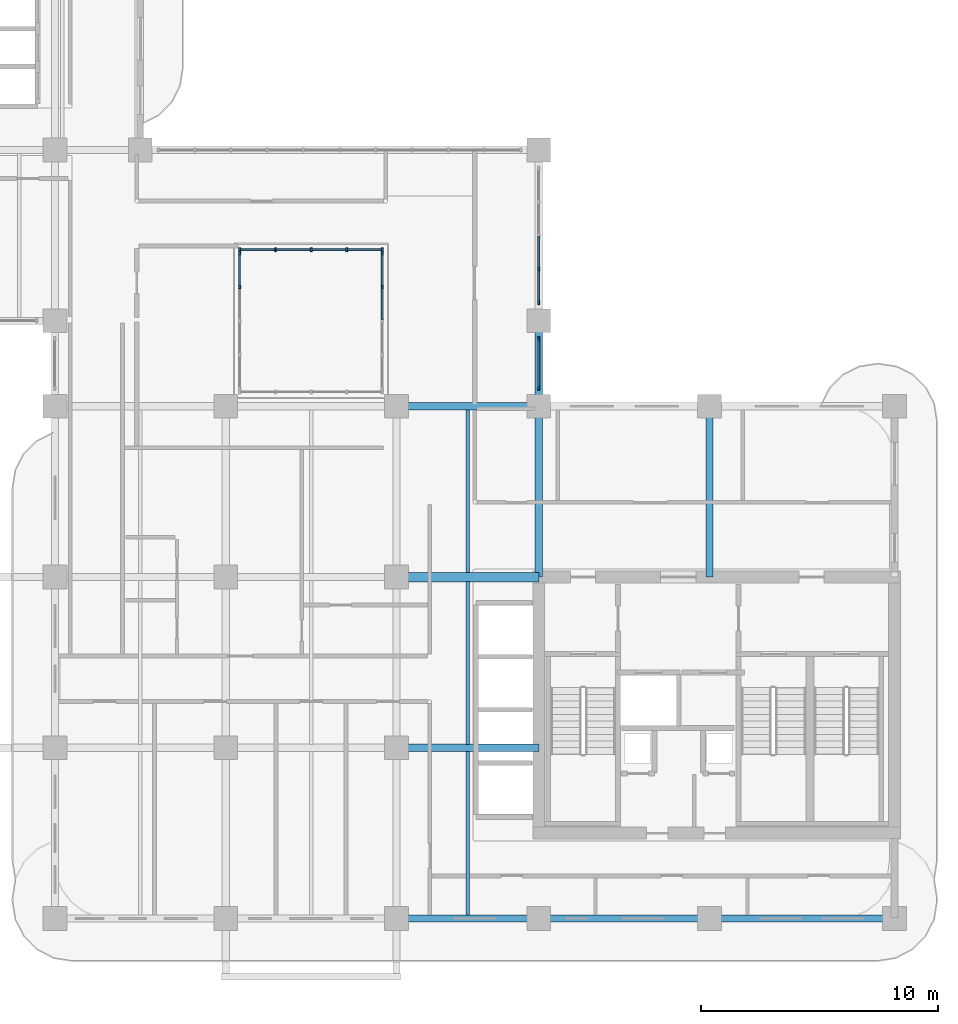
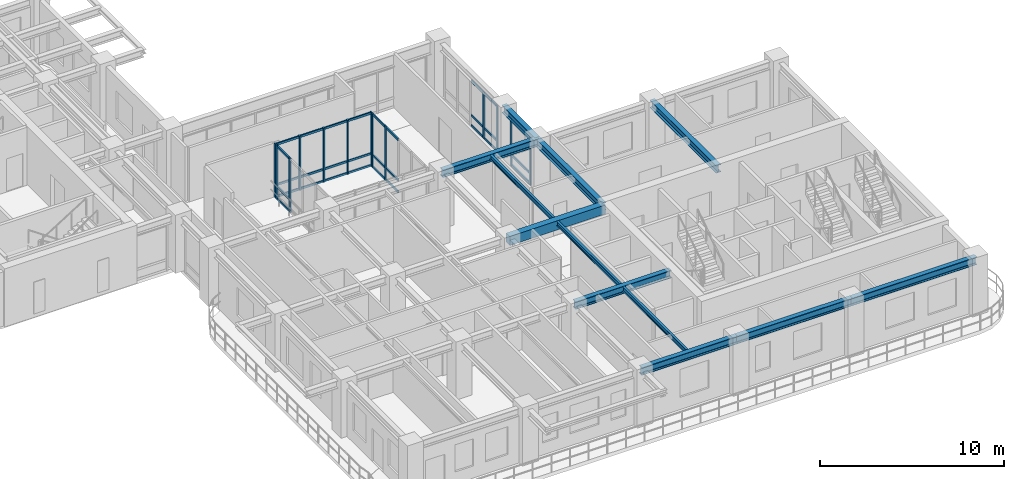
# One storey, part 3 of 21: 43 members, 12 beams, 5 elements without a shape of their own.
"""IFC4 building model written with IfcOpenShell, lengths in metres."""

from ifc_helpers import new_model, si_unit, derived_unit, direction, frame, origin, origin_2d, place, context, subcontext, project, spatial, rectangle, i_section, extrude, source, transform, mapped, material, layer, layer_set, material_profile, profile_set, type_object, type_shapes, element, aggregate, save


model = new_model("IFC4")

# Units and contexts
model_context = context("Model", 3, precision=1e-05, world=origin(), true_north=direction((0.0, 1.0)))
body_context = subcontext(model_context, "Body", "Model", "MODEL_VIEW")
ifc_project = project(units=[si_unit("LENGTHUNIT", "METRE"), si_unit("AREAUNIT", "SQUARE_METRE"), si_unit("VOLUMEUNIT", "CUBIC_METRE"), si_unit("PLANEANGLEUNIT", "RADIAN"), si_unit("MASSUNIT", "GRAM", prefix="KILO"), si_unit("THERMODYNAMICTEMPERATUREUNIT", "KELVIN"), si_unit("POWERUNIT", "WATT"), derived_unit("THERMALTRANSMITTANCEUNIT", [(si_unit("POWERUNIT", "WATT"), 1), (si_unit("AREAUNIT", "SQUARE_METRE"), -1), (si_unit("THERMODYNAMICTEMPERATUREUNIT", "KELVIN"), -1)])], contexts=[model_context])

# Site, building, storey
site_placement = place(None, origin())
site = spatial("IfcSite", under=ifc_project, at=site_placement, CompositionType="ELEMENT")
building_placement = place(site_placement, origin())
building = spatial("IfcBuilding", under=site, at=building_placement, Name="Zahravan Archway Hotel and Residences", CompositionType="ELEMENT")
storey_placement = place(building_placement, frame((0.0, 0.0, 165.699951171875)))
storey = spatial("IfcBuildingStorey", under=building, at=storey_placement, Name="L41", CompositionType="ELEMENT", Elevation=165.699951171875)

# Beams
ifc_material_1 = material(Name="Concrete C60/75", Category="concrete")
ifc_material_profile_1 = material_profile(ifc_material_1, rectangle(XDim=0.39990234375, YDim=0.60009765625, at=origin_2d()), Name="RC-LNT-400x600", Category="concrete")
ifc_profile_set_1 = profile_set([ifc_material_profile_1], Name="Concrete C60/75")
beam_type_1 = type_object("IfcBeamType", Name="LNT-RC-400x600", PredefinedType="LINTEL", material=ifc_profile_set_1)
shared_shape_1 = source(origin(), body_context, "Body", "SweptSolid", [
    extrude(rectangle(XDim=0.39990234375, YDim=0.60009765625, at=origin_2d()), origin(), (0.0, 0.0, 1.0), 6.0),
])
type_shapes(beam_type_1, [shared_shape_1])
beam_1_placement = place(storey_placement, frame((28.800048828125, 14.39990234375, 3.300048828125), z_axis=(1.0, 0.0, 0.0), x_axis=(0.0, 1.0, 0.0)))
element("IfcBeam", 1, at=beam_1_placement, inside=storey, type_object=beam_type_1, Name="L41 Core A Coupling Lintel Beam", PredefinedType="LINTEL", context=body_context, shape_type="MappedRepresentation", body=[
    mapped(shared_shape_1, transform((0.0, 0.0, 0.0), scale=1.0)),
])
ifc_material_2 = material(Name="Structural Steel S355JR", Category="steel")
ifc_material_profile_2 = material_profile(ifc_material_2, i_section(OverallWidth=0.300048828125, OverallDepth=0.5, WebThickness=0.014404296875, FlangeThickness=0.028076171875, FilletRadius=0.027099609375, at=origin_2d()), Name="HEB 500", Category="steel")
ifc_profile_set_2 = profile_set([ifc_material_profile_2], Name="Structural Steel S355JR")
beam_type_2 = type_object("IfcBeamType", Name="BM-PRI-HEB500", PredefinedType="BEAM", material=ifc_profile_set_2)
shared_shape_2 = source(origin(), body_context, "Body", "SweptSolid", [
    extrude(i_section(OverallWidth=0.300048828125, OverallDepth=0.5, WebThickness=0.014404296875, FlangeThickness=0.028076171875, FilletRadius=0.027099609375, at=origin_2d()), origin(), (0.0, 0.0, 1.0), 7.2001953125),
])
type_shapes(beam_type_2, [shared_shape_2])
for number, where, z_axis, x_axis, name in (
    (2, (34.800048828125, 14.39990234375, 3.35009765625), (0.0, 1.0, 0.0), (-1.0, 0.0, 0.0), "L41 Primary Girder NS-41"),
    (3, (42.0, 14.39990234375, 3.35009765625), (0.0, 1.0, 0.0), (-1.0, 0.0, 0.0), "L41 Primary Girder NS-44"),
):
    element("IfcBeam", number, at=place(storey_placement, frame(where, z_axis=z_axis, x_axis=x_axis)), inside=storey, type_object=beam_type_2, Name=name, PredefinedType="BEAM", context=body_context, shape_type="MappedRepresentation", body=[
        mapped(shared_shape_2, transform((0.0, 0.0, 0.0), scale=1.0)),
    ])
shared_shape_3 = source(origin(), body_context, "Body", "SweptSolid", [
    extrude(i_section(OverallWidth=0.300048828125, OverallDepth=0.5, WebThickness=0.014404296875, FlangeThickness=0.028076171875, FilletRadius=0.027099609375, at=origin_2d()), origin(), (0.0, 0.0, 1.0), 7.199951171875),
])
beam_2_placement = place(storey_placement, frame((34.800048828125, 0.0, 3.35009765625), z_axis=(1.0, 0.0, 0.0), x_axis=(0.0, 1.0, 0.0)))
element("IfcBeam", 4, at=beam_2_placement, inside=storey, type_object=beam_type_2, Name="L41 Primary Girder EW-04", PredefinedType="BEAM", context=body_context, shape_type="MappedRepresentation", body=[
    mapped(shared_shape_3, transform((0.0, 0.0, 0.0), scale=1.0)),
])
shared_shape_4 = source(origin(), body_context, "Body", "SweptSolid", [
    extrude(i_section(OverallWidth=0.300048828125, OverallDepth=0.5, WebThickness=0.014404296875, FlangeThickness=0.028076171875, FilletRadius=0.027099609375, at=origin_2d()), origin(), (0.0, 0.0, 1.0), 6.0),
])
for number, where, z_axis, x_axis, name in (
    (5, (28.800048828125, 0.0, 3.35009765625), (1.0, 0.0, 0.0), (0.0, 1.0, 0.0), "L41 Primary Girder EW-03"),
    (6, (28.800048828125, 7.199951171875, 3.35009765625), (1.0, 0.0, 0.0), (0.0, 1.0, 0.0), "L41 Primary Girder EW-08"),
    (7, (28.800048828125, 21.60009765625, 3.35009765625), (1.0, 0.0, 0.0), (0.0, 1.0, 0.0), "L41 Primary Girder EW-13"),
):
    element("IfcBeam", number, at=place(storey_placement, frame(where, z_axis=z_axis, x_axis=x_axis)), inside=storey, type_object=beam_type_2, Name=name, PredefinedType="BEAM", context=body_context, shape_type="MappedRepresentation", body=[
        mapped(shared_shape_4, transform((0.0, 0.0, 0.0), scale=1.0)),
    ])
shared_shape_5 = source(origin(), body_context, "Body", "SweptSolid", [
    extrude(i_section(OverallWidth=0.300048828125, OverallDepth=0.5, WebThickness=0.014404296875, FlangeThickness=0.028076171875, FilletRadius=0.027099609375, at=origin_2d()), origin(), (0.0, 0.0, 1.0), 7.800048828125),
])
beam_3_placement = place(storey_placement, frame((42.0, 0.0, 3.35009765625), z_axis=(1.0, 0.0, 0.0), x_axis=(0.0, 1.0, 0.0)))
element("IfcBeam", 8, at=beam_3_placement, inside=storey, type_object=beam_type_2, Name="L41 Primary Girder EW-05", PredefinedType="BEAM", context=body_context, shape_type="MappedRepresentation", body=[
    mapped(shared_shape_5, transform((0.0, 0.0, 0.0), scale=1.0)),
])
shared_shape_6 = source(origin(), body_context, "Body", "SweptSolid", [
    extrude(i_section(OverallWidth=0.300048828125, OverallDepth=0.5, WebThickness=0.014404296875, FlangeThickness=0.028076171875, FilletRadius=0.027099609375, at=origin_2d()), origin(), (0.0, 0.0, 1.0), 3.599853515625),
])
beam_4_placement = place(storey_placement, frame((34.800048828125, 21.60009765625, 3.35009765625), z_axis=(0.0, 1.0, 0.0), x_axis=(-1.0, 0.0, 0.0)))
element("IfcBeam", 9, at=beam_4_placement, inside=storey, type_object=beam_type_2, Name="L41 Primary Girder NS-42", PredefinedType="BEAM", context=body_context, shape_type="MappedRepresentation", body=[
    mapped(shared_shape_6, transform((0.0, 0.0, 0.0), scale=1.0)),
])
ifc_material_profile_3 = material_profile(ifc_material_2, i_section(OverallWidth=0.14990234375, OverallDepth=0.300048828125, WebThickness=0.007080078125, FlangeThickness=0.0107421875, FilletRadius=0.014892578125, at=origin_2d()), Name="IPE 300", Category="steel")
ifc_profile_set_3 = profile_set([ifc_material_profile_3], Name="Structural Steel S355JR")
beam_type_3 = type_object("IfcBeamType", Name="BM-JST-IPE300", PredefinedType="JOIST", material=ifc_profile_set_3)
shared_shape_7 = source(origin(), body_context, "Body", "SweptSolid", [
    extrude(i_section(OverallWidth=0.14990234375, OverallDepth=0.300048828125, WebThickness=0.007080078125, FlangeThickness=0.0107421875, FilletRadius=0.014892578125, at=origin_2d()), origin(), (0.0, 0.0, 1.0), 6.904052734375),
])
type_shapes(beam_type_3, [shared_shape_7])
beam_5_placement = place(storey_placement, frame((31.800048828125, 0.14794921875, 3.449951171875), z_axis=(0.0, 1.0, 0.0), x_axis=(-1.0, 0.0, 0.0)))
element("IfcBeam", 10, at=beam_5_placement, inside=storey, type_object=beam_type_3, Name="L41 Composite Floor Joist 03", PredefinedType="JOIST", context=body_context, shape_type="MappedRepresentation", body=[
    mapped(shared_shape_7, transform((0.0, 0.0, 0.0), scale=1.0)),
])
shared_shape_8 = source(origin(), body_context, "Body", "SweptSolid", [
    extrude(i_section(OverallWidth=0.14990234375, OverallDepth=0.300048828125, WebThickness=0.007080078125, FlangeThickness=0.0107421875, FilletRadius=0.014892578125, at=origin_2d()), origin(), (0.0, 0.0, 1.0), 6.85400390625),
])
for number, where, z_axis, x_axis, name in (
    (11, (31.800048828125, 7.347900390625, 3.449951171875), (0.0, 1.0, 0.0), (-1.0, 0.0, 0.0), "L41 Composite Floor Joist 06"),
    (12, (31.800048828125, 14.597900390625, 3.449951171875), (0.0, 1.0, 0.0), (-1.0, 0.0, 0.0), "L41 Composite Floor Joist 07"),
):
    element("IfcBeam", number, at=place(storey_placement, frame(where, z_axis=z_axis, x_axis=x_axis)), inside=storey, type_object=beam_type_3, Name=name, PredefinedType="JOIST", context=body_context, shape_type="MappedRepresentation", body=[
        mapped(shared_shape_8, transform((0.0, 0.0, 0.0), scale=1.0)),
    ])

# Curtain wall, members
ifc_material_3 = material(Name="Bronze-Anodized Unitised Aluminium & Low-E Glass", Category="aluminium")
ifc_layer = layer(ifc_material_3, 0.179931640625, Name="Bronze-Anodized Unitised Aluminium & Low-E Glass", Category="aluminium")
ifc_layer_set = layer_set([ifc_layer], Name="Bronze-Anodized Unitised Aluminium & Low-E Glass")
curtain_wall_type = type_object("IfcCurtainWallType", Name="CW-ATR-GLAZ", PredefinedType="NOTDEFINED", material=ifc_layer_set)
curtain_wall_1_placement = place(storey_placement, origin())
curtain_wall_1 = element("IfcCurtainWall", 13, at=curtain_wall_1_placement, inside=storey, type_object=curtain_wall_type, Name="L41 Curtain Wall CW-L41-HNG-E-2", PredefinedType="NOTDEFINED")
ifc_material_4 = material(Name="Bronze-Anodized Extruded Aluminium", Category="aluminium")
ifc_material_profile_4 = material_profile(ifc_material_4, rectangle(XDim=0.080078125, YDim=0.139892578125, at=origin_2d()), Name="TRN 80x140", Category="aluminium")
ifc_profile_set_4 = profile_set([ifc_material_profile_4], Name="Bronze-Anodized Extruded Aluminium")
member_type_1 = type_object("IfcMemberType", Name="CWM-TRN-140", PredefinedType="USERDEFINED", material=ifc_profile_set_4)
shared_shape_9 = source(origin(), body_context, "Body", "SweptSolid", [
    extrude(rectangle(XDim=0.080078125, YDim=0.139892578125, at=origin_2d()), origin(), (0.0, 0.0, 1.0), 1.340087890625),
])
member_1_placement = place(storey_placement, frame((34.800048828125, 26.0, 0.070068359375), z_axis=(0.0, 1.0, 0.0), x_axis=(-1.0, 0.0, 0.0)))
member_1 = element("IfcMember", 14, at=member_1_placement, type_object=member_type_1, Name="CW-L41-HNG-E-2 Transom 0-1", ObjectType="TRANSOM", PredefinedType="USERDEFINED", context=body_context, shape_type="MappedRepresentation", body=[
    mapped(shared_shape_9, transform((0.0, 0.0, 0.0), scale=1.0)),
])
member_2_placement = place(storey_placement, frame((34.800048828125, 26.0, 0.740478515625), z_axis=(0.0, 1.0, 0.0), x_axis=(-1.0, 0.0, 0.0)))
member_2 = element("IfcMember", 15, at=member_2_placement, type_object=member_type_1, Name="CW-L41-HNG-E-2 Transom 0-2", ObjectType="TRANSOM", PredefinedType="USERDEFINED", context=body_context, shape_type="MappedRepresentation", body=[
    mapped(shared_shape_9, transform((0.0, 0.0, 0.0), scale=1.0)),
])
member_3_placement = place(storey_placement, frame((34.800048828125, 26.0, 3.01513671875), z_axis=(0.0, 1.0, 0.0), x_axis=(-1.0, 0.0, 0.0)))
member_3 = element("IfcMember", 16, at=member_3_placement, type_object=member_type_1, Name="CW-L41-HNG-E-2 Transom 0-3", ObjectType="TRANSOM", PredefinedType="USERDEFINED", context=body_context, shape_type="MappedRepresentation", body=[
    mapped(shared_shape_9, transform((0.0, 0.0, 0.0), scale=1.0)),
])
member_4_placement = place(storey_placement, frame((34.800048828125, 27.419921875, 0.070068359375), z_axis=(0.0, 1.0, 0.0), x_axis=(-1.0, 0.0, 0.0)))
member_4 = element("IfcMember", 17, at=member_4_placement, type_object=member_type_1, Name="CW-L41-HNG-E-2 Transom 1-1", ObjectType="TRANSOM", PredefinedType="USERDEFINED", context=body_context, shape_type="MappedRepresentation", body=[
    mapped(shared_shape_9, transform((0.0, 0.0, 0.0), scale=1.0)),
])
member_5_placement = place(storey_placement, frame((34.800048828125, 27.419921875, 0.740478515625), z_axis=(0.0, 1.0, 0.0), x_axis=(-1.0, 0.0, 0.0)))
member_5 = element("IfcMember", 18, at=member_5_placement, type_object=member_type_1, Name="CW-L41-HNG-E-2 Transom 1-2", ObjectType="TRANSOM", PredefinedType="USERDEFINED", context=body_context, shape_type="MappedRepresentation", body=[
    mapped(shared_shape_9, transform((0.0, 0.0, 0.0), scale=1.0)),
])
member_6_placement = place(storey_placement, frame((34.800048828125, 27.419921875, 3.01513671875), z_axis=(0.0, 1.0, 0.0), x_axis=(-1.0, 0.0, 0.0)))
member_6 = element("IfcMember", 19, at=member_6_placement, type_object=member_type_1, Name="CW-L41-HNG-E-2 Transom 1-3", ObjectType="TRANSOM", PredefinedType="USERDEFINED", context=body_context, shape_type="MappedRepresentation", body=[
    mapped(shared_shape_9, transform((0.0, 0.0, 0.0), scale=1.0)),
])

curtain_wall_2_placement = place(storey_placement, origin())
curtain_wall_2 = element("IfcCurtainWall", 20, at=curtain_wall_2_placement, inside=storey, type_object=curtain_wall_type, Name="L41 Curtain Wall CW-L41-HNG-E-1", PredefinedType="NOTDEFINED")
shared_shape_10 = source(origin(), body_context, "Body", "SweptSolid", [
    extrude(rectangle(XDim=0.080078125, YDim=0.139892578125, at=origin_2d()), origin(), (0.0, 0.0, 1.0), 2.0),
])
member_7_placement = place(storey_placement, frame((34.800048828125, 22.39990234375, 0.070068359375), z_axis=(0.0, 1.0, 0.0), x_axis=(-1.0, 0.0, 0.0)))
member_7 = element("IfcMember", 21, at=member_7_placement, type_object=member_type_1, Name="CW-L41-HNG-E-1 Transom 0-1", ObjectType="TRANSOM", PredefinedType="USERDEFINED", context=body_context, shape_type="MappedRepresentation", body=[
    mapped(shared_shape_10, transform((0.0, 0.0, 0.0), scale=1.0)),
])
member_8_placement = place(storey_placement, frame((34.800048828125, 22.39990234375, 0.740478515625), z_axis=(0.0, 1.0, 0.0), x_axis=(-1.0, 0.0, 0.0)))
member_8 = element("IfcMember", 22, at=member_8_placement, type_object=member_type_1, Name="CW-L41-HNG-E-1 Transom 0-2", ObjectType="TRANSOM", PredefinedType="USERDEFINED", context=body_context, shape_type="MappedRepresentation", body=[
    mapped(shared_shape_10, transform((0.0, 0.0, 0.0), scale=1.0)),
])
member_9_placement = place(storey_placement, frame((34.800048828125, 22.39990234375, 3.01513671875), z_axis=(0.0, 1.0, 0.0), x_axis=(-1.0, 0.0, 0.0)))
member_9 = element("IfcMember", 23, at=member_9_placement, type_object=member_type_1, Name="CW-L41-HNG-E-1 Transom 0-3", ObjectType="TRANSOM", PredefinedType="USERDEFINED", context=body_context, shape_type="MappedRepresentation", body=[
    mapped(shared_shape_10, transform((0.0, 0.0, 0.0), scale=1.0)),
])

curtain_wall_3_placement = place(storey_placement, origin())
curtain_wall_3 = element("IfcCurtainWall", 24, at=curtain_wall_3_placement, inside=storey, type_object=curtain_wall_type, Name="L41 Curtain Wall CW-ATR-L41-N-1", PredefinedType="NOTDEFINED")
shared_shape_11 = source(origin(), body_context, "Body", "SweptSolid", [
    extrude(rectangle(XDim=0.080078125, YDim=0.139892578125, at=origin_2d()), origin(), (0.0, 0.0, 1.0), 1.419921875),
])
member_10_placement = place(storey_placement, frame((22.239990234375, 28.199951171875, 0.070068359375), z_axis=(1.0, 0.0, 0.0), x_axis=(0.0, 1.0, 0.0)))
member_10 = element("IfcMember", 25, at=member_10_placement, type_object=member_type_1, Name="CW-ATR-L41-N-1 Transom 0-1", ObjectType="TRANSOM", PredefinedType="USERDEFINED", context=body_context, shape_type="MappedRepresentation", body=[
    mapped(shared_shape_11, transform((0.0, 0.0, 0.0), scale=1.0)),
])
member_11_placement = place(storey_placement, frame((22.239990234375, 28.199951171875, 0.85009765625), z_axis=(1.0, 0.0, 0.0), x_axis=(0.0, 1.0, 0.0)))
member_11 = element("IfcMember", 26, at=member_11_placement, type_object=member_type_1, Name="CW-ATR-L41-N-1 Transom 0-2", ObjectType="TRANSOM", PredefinedType="USERDEFINED", context=body_context, shape_type="MappedRepresentation", body=[
    mapped(shared_shape_11, transform((0.0, 0.0, 0.0), scale=1.0)),
])
member_12_placement = place(storey_placement, frame((22.239990234375, 28.199951171875, 3.530029296875), z_axis=(1.0, 0.0, 0.0), x_axis=(0.0, 1.0, 0.0)))
member_12 = element("IfcMember", 27, at=member_12_placement, type_object=member_type_1, Name="CW-ATR-L41-N-1 Transom 0-3", ObjectType="TRANSOM", PredefinedType="USERDEFINED", context=body_context, shape_type="MappedRepresentation", body=[
    mapped(shared_shape_11, transform((0.0, 0.0, 0.0), scale=1.0)),
])
member_13_placement = place(storey_placement, frame((23.739990234375, 28.199951171875, 0.070068359375), z_axis=(1.0, 0.0, 0.0), x_axis=(0.0, 1.0, 0.0)))
member_13 = element("IfcMember", 28, at=member_13_placement, type_object=member_type_1, Name="CW-ATR-L41-N-1 Transom 1-1", ObjectType="TRANSOM", PredefinedType="USERDEFINED", context=body_context, shape_type="MappedRepresentation", body=[
    mapped(shared_shape_11, transform((0.0, 0.0, 0.0), scale=1.0)),
])
member_14_placement = place(storey_placement, frame((23.739990234375, 28.199951171875, 0.85009765625), z_axis=(1.0, 0.0, 0.0), x_axis=(0.0, 1.0, 0.0)))
member_14 = element("IfcMember", 29, at=member_14_placement, type_object=member_type_1, Name="CW-ATR-L41-N-1 Transom 1-2", ObjectType="TRANSOM", PredefinedType="USERDEFINED", context=body_context, shape_type="MappedRepresentation", body=[
    mapped(shared_shape_11, transform((0.0, 0.0, 0.0), scale=1.0)),
])
member_15_placement = place(storey_placement, frame((23.739990234375, 28.199951171875, 3.530029296875), z_axis=(1.0, 0.0, 0.0), x_axis=(0.0, 1.0, 0.0)))
member_15 = element("IfcMember", 30, at=member_15_placement, type_object=member_type_1, Name="CW-ATR-L41-N-1 Transom 1-3", ObjectType="TRANSOM", PredefinedType="USERDEFINED", context=body_context, shape_type="MappedRepresentation", body=[
    mapped(shared_shape_11, transform((0.0, 0.0, 0.0), scale=1.0)),
])
member_16_placement = place(storey_placement, frame((25.239990234375, 28.199951171875, 0.070068359375), z_axis=(1.0, 0.0, 0.0), x_axis=(0.0, 1.0, 0.0)))
member_16 = element("IfcMember", 31, at=member_16_placement, type_object=member_type_1, Name="CW-ATR-L41-N-1 Transom 2-1", ObjectType="TRANSOM", PredefinedType="USERDEFINED", context=body_context, shape_type="MappedRepresentation", body=[
    mapped(shared_shape_11, transform((0.0, 0.0, 0.0), scale=1.0)),
])
member_17_placement = place(storey_placement, frame((25.239990234375, 28.199951171875, 0.85009765625), z_axis=(1.0, 0.0, 0.0), x_axis=(0.0, 1.0, 0.0)))
member_17 = element("IfcMember", 32, at=member_17_placement, type_object=member_type_1, Name="CW-ATR-L41-N-1 Transom 2-2", ObjectType="TRANSOM", PredefinedType="USERDEFINED", context=body_context, shape_type="MappedRepresentation", body=[
    mapped(shared_shape_11, transform((0.0, 0.0, 0.0), scale=1.0)),
])
member_18_placement = place(storey_placement, frame((25.239990234375, 28.199951171875, 3.530029296875), z_axis=(1.0, 0.0, 0.0), x_axis=(0.0, 1.0, 0.0)))
member_18 = element("IfcMember", 33, at=member_18_placement, type_object=member_type_1, Name="CW-ATR-L41-N-1 Transom 2-3", ObjectType="TRANSOM", PredefinedType="USERDEFINED", context=body_context, shape_type="MappedRepresentation", body=[
    mapped(shared_shape_11, transform((0.0, 0.0, 0.0), scale=1.0)),
])
member_19_placement = place(storey_placement, frame((26.739990234375, 28.199951171875, 0.070068359375), z_axis=(1.0, 0.0, 0.0), x_axis=(0.0, 1.0, 0.0)))
member_19 = element("IfcMember", 34, at=member_19_placement, type_object=member_type_1, Name="CW-ATR-L41-N-1 Transom 3-1", ObjectType="TRANSOM", PredefinedType="USERDEFINED", context=body_context, shape_type="MappedRepresentation", body=[
    mapped(shared_shape_11, transform((0.0, 0.0, 0.0), scale=1.0)),
])
member_20_placement = place(storey_placement, frame((26.739990234375, 28.199951171875, 0.85009765625), z_axis=(1.0, 0.0, 0.0), x_axis=(0.0, 1.0, 0.0)))
member_20 = element("IfcMember", 35, at=member_20_placement, type_object=member_type_1, Name="CW-ATR-L41-N-1 Transom 3-2", ObjectType="TRANSOM", PredefinedType="USERDEFINED", context=body_context, shape_type="MappedRepresentation", body=[
    mapped(shared_shape_11, transform((0.0, 0.0, 0.0), scale=1.0)),
])
member_21_placement = place(storey_placement, frame((26.739990234375, 28.199951171875, 3.530029296875), z_axis=(1.0, 0.0, 0.0), x_axis=(0.0, 1.0, 0.0)))
member_21 = element("IfcMember", 36, at=member_21_placement, type_object=member_type_1, Name="CW-ATR-L41-N-1 Transom 3-3", ObjectType="TRANSOM", PredefinedType="USERDEFINED", context=body_context, shape_type="MappedRepresentation", body=[
    mapped(shared_shape_11, transform((0.0, 0.0, 0.0), scale=1.0)),
])

curtain_wall_4_placement = place(storey_placement, origin())
curtain_wall_4 = element("IfcCurtainWall", 37, at=curtain_wall_4_placement, inside=storey, type_object=curtain_wall_type, Name="L41 Curtain Wall CW-ATR-L41-W-1", PredefinedType="NOTDEFINED")
shared_shape_12 = source(origin(), body_context, "Body", "SweptSolid", [
    extrude(rectangle(XDim=0.080078125, YDim=0.139892578125, at=origin_2d()), origin(), (0.0, 0.0, 1.0), 1.344970703125),
])
member_22_placement = place(storey_placement, frame((22.199951171875, 26.6650390625, 0.070068359375), z_axis=(0.0, 1.0, 0.0), x_axis=(-1.0, 0.0, 0.0)))
member_22 = element("IfcMember", 38, at=member_22_placement, type_object=member_type_1, Name="CW-ATR-L41-W-1 Transom 3-1", ObjectType="TRANSOM", PredefinedType="USERDEFINED", context=body_context, shape_type="MappedRepresentation", body=[
    mapped(shared_shape_12, transform((0.0, 0.0, 0.0), scale=1.0)),
])
member_23_placement = place(storey_placement, frame((22.199951171875, 26.6650390625, 0.85009765625), z_axis=(0.0, 1.0, 0.0), x_axis=(-1.0, 0.0, 0.0)))
member_23 = element("IfcMember", 39, at=member_23_placement, type_object=member_type_1, Name="CW-ATR-L41-W-1 Transom 3-2", ObjectType="TRANSOM", PredefinedType="USERDEFINED", context=body_context, shape_type="MappedRepresentation", body=[
    mapped(shared_shape_12, transform((0.0, 0.0, 0.0), scale=1.0)),
])
member_24_placement = place(storey_placement, frame((22.199951171875, 26.6650390625, 3.530029296875), z_axis=(0.0, 1.0, 0.0), x_axis=(-1.0, 0.0, 0.0)))
member_24 = element("IfcMember", 40, at=member_24_placement, type_object=member_type_1, Name="CW-ATR-L41-W-1 Transom 3-3", ObjectType="TRANSOM", PredefinedType="USERDEFINED", context=body_context, shape_type="MappedRepresentation", body=[
    mapped(shared_shape_12, transform((0.0, 0.0, 0.0), scale=1.0)),
])

curtain_wall_5_placement = place(storey_placement, origin())
curtain_wall_5 = element("IfcCurtainWall", 41, at=curtain_wall_5_placement, inside=storey, type_object=curtain_wall_type, Name="L41 Curtain Wall CW-ATR-L41-E-1", PredefinedType="NOTDEFINED")
member_25_placement = place(storey_placement, frame((28.199951171875, 25.239990234375, 0.070068359375), z_axis=(0.0, 1.0, 0.0), x_axis=(-1.0, 0.0, 0.0)))
member_25 = element("IfcMember", 42, at=member_25_placement, type_object=member_type_1, Name="CW-ATR-L41-E-1 Transom 2-1", ObjectType="TRANSOM", PredefinedType="USERDEFINED", context=body_context, shape_type="MappedRepresentation", body=[
    mapped(shared_shape_12, transform((0.0, 0.0, 0.0), scale=1.0)),
])
member_26_placement = place(storey_placement, frame((28.199951171875, 25.239990234375, 0.85009765625), z_axis=(0.0, 1.0, 0.0), x_axis=(-1.0, 0.0, 0.0)))
member_26 = element("IfcMember", 43, at=member_26_placement, type_object=member_type_1, Name="CW-ATR-L41-E-1 Transom 2-2", ObjectType="TRANSOM", PredefinedType="USERDEFINED", context=body_context, shape_type="MappedRepresentation", body=[
    mapped(shared_shape_12, transform((0.0, 0.0, 0.0), scale=1.0)),
])
member_27_placement = place(storey_placement, frame((28.199951171875, 25.239990234375, 3.530029296875), z_axis=(0.0, 1.0, 0.0), x_axis=(-1.0, 0.0, 0.0)))
member_27 = element("IfcMember", 44, at=member_27_placement, type_object=member_type_1, Name="CW-ATR-L41-E-1 Transom 2-3", ObjectType="TRANSOM", PredefinedType="USERDEFINED", context=body_context, shape_type="MappedRepresentation", body=[
    mapped(shared_shape_12, transform((0.0, 0.0, 0.0), scale=1.0)),
])
member_28_placement = place(storey_placement, frame((28.199951171875, 26.6650390625, 0.070068359375), z_axis=(0.0, 1.0, 0.0), x_axis=(-1.0, 0.0, 0.0)))
member_28 = element("IfcMember", 45, at=member_28_placement, type_object=member_type_1, Name="CW-ATR-L41-E-1 Transom 3-1", ObjectType="TRANSOM", PredefinedType="USERDEFINED", context=body_context, shape_type="MappedRepresentation", body=[
    mapped(shared_shape_12, transform((0.0, 0.0, 0.0), scale=1.0)),
])
member_29_placement = place(storey_placement, frame((28.199951171875, 26.6650390625, 0.85009765625), z_axis=(0.0, 1.0, 0.0), x_axis=(-1.0, 0.0, 0.0)))
member_29 = element("IfcMember", 46, at=member_29_placement, type_object=member_type_1, Name="CW-ATR-L41-E-1 Transom 3-2", ObjectType="TRANSOM", PredefinedType="USERDEFINED", context=body_context, shape_type="MappedRepresentation", body=[
    mapped(shared_shape_12, transform((0.0, 0.0, 0.0), scale=1.0)),
])
member_30_placement = place(storey_placement, frame((28.199951171875, 26.6650390625, 3.530029296875), z_axis=(0.0, 1.0, 0.0), x_axis=(-1.0, 0.0, 0.0)))
member_30 = element("IfcMember", 47, at=member_30_placement, type_object=member_type_1, Name="CW-ATR-L41-E-1 Transom 3-3", ObjectType="TRANSOM", PredefinedType="USERDEFINED", context=body_context, shape_type="MappedRepresentation", body=[
    mapped(shared_shape_12, transform((0.0, 0.0, 0.0), scale=1.0)),
])

# Member
ifc_material_profile_5 = material_profile(ifc_material_4, rectangle(XDim=0.080078125, YDim=0.159912109375, at=origin_2d()), Name="MUL 80x160", Category="aluminium")
ifc_profile_set_5 = profile_set([ifc_material_profile_5], Name="Bronze-Anodized Extruded Aluminium")
member_type_2 = type_object("IfcMemberType", Name="CWM-MUL-160", PredefinedType="MULLION", material=ifc_profile_set_5)
shared_shape_13 = source(origin(), body_context, "Body", "SweptSolid", [
    extrude(rectangle(XDim=0.080078125, YDim=0.159912109375, at=origin_2d()), origin(), (0.0, 0.0, 1.0), 3.0849609375),
])
member_31_placement = place(storey_placement, frame((34.800048828125, 22.360107421875, 0.0), z_axis=(0.0, 0.0, 1.0), x_axis=(1.0, 0.0, 0.0)))
member_31 = element("IfcMember", 48, at=member_31_placement, type_object=member_type_2, Name="CW-L41-HNG-E-1 Mullion 0", PredefinedType="MULLION", context=body_context, shape_type="MappedRepresentation", body=[
    mapped(shared_shape_13, transform((0.0, 0.0, 0.0), scale=1.0)),
])

member_32_placement = place(storey_placement, frame((34.800048828125, 24.43994140625, 0.0), z_axis=(0.0, 0.0, 1.0), x_axis=(1.0, 0.0, 0.0)))
member_32 = element("IfcMember", 49, at=member_32_placement, type_object=member_type_2, Name="CW-L41-HNG-E-1 Mullion 1", PredefinedType="MULLION", context=body_context, shape_type="MappedRepresentation", body=[
    mapped(shared_shape_13, transform((0.0, 0.0, 0.0), scale=1.0)),
])

aggregate(curtain_wall_2, [member_31, member_32, member_7, member_8, member_9])

member_33_placement = place(storey_placement, frame((34.800048828125, 25.9599609375, 0.0), z_axis=(0.0, 0.0, 1.0), x_axis=(1.0, 0.0, 0.0)))
member_33 = element("IfcMember", 50, at=member_33_placement, type_object=member_type_2, Name="CW-L41-HNG-E-2 Mullion 0", PredefinedType="MULLION", context=body_context, shape_type="MappedRepresentation", body=[
    mapped(shared_shape_13, transform((0.0, 0.0, 0.0), scale=1.0)),
])

member_34_placement = place(storey_placement, frame((34.800048828125, 27.3798828125, 0.0), z_axis=(0.0, 0.0, 1.0), x_axis=(1.0, 0.0, 0.0)))
member_34 = element("IfcMember", 51, at=member_34_placement, type_object=member_type_2, Name="CW-L41-HNG-E-2 Mullion 1", PredefinedType="MULLION", context=body_context, shape_type="MappedRepresentation", body=[
    mapped(shared_shape_13, transform((0.0, 0.0, 0.0), scale=1.0)),
])

aggregate(curtain_wall_1, [member_33, member_34, member_1, member_2, member_3, member_4, member_5, member_6])

shared_shape_14 = source(origin(), body_context, "Body", "SweptSolid", [
    extrude(rectangle(XDim=0.080078125, YDim=0.159912109375, at=origin_2d()), origin(), (0.0, 0.0, 1.0), 3.60009765625),
])
member_35_placement = place(storey_placement, frame((22.199951171875, 28.199951171875, 0.0), z_axis=(0.0, 0.0, 1.0), x_axis=(1.0, 0.0, 0.0)))
member_35 = element("IfcMember", 52, at=member_35_placement, type_object=member_type_2, Name="CW-ATR-L41-N-1 Mullion 0", PredefinedType="MULLION", context=body_context, shape_type="MappedRepresentation", body=[
    mapped(shared_shape_14, transform((0.0, 0.0, 0.0), scale=1.0)),
])

member_36_placement = place(storey_placement, frame((23.699951171875, 28.199951171875, 0.0), z_axis=(0.0, 0.0, 1.0), x_axis=(1.0, 0.0, 0.0)))
member_36 = element("IfcMember", 53, at=member_36_placement, type_object=member_type_2, Name="CW-ATR-L41-N-1 Mullion 1", PredefinedType="MULLION", context=body_context, shape_type="MappedRepresentation", body=[
    mapped(shared_shape_14, transform((0.0, 0.0, 0.0), scale=1.0)),
])

member_37_placement = place(storey_placement, frame((25.199951171875, 28.199951171875, 0.0), z_axis=(0.0, 0.0, 1.0), x_axis=(1.0, 0.0, 0.0)))
member_37 = element("IfcMember", 54, at=member_37_placement, type_object=member_type_2, Name="CW-ATR-L41-N-1 Mullion 2", PredefinedType="MULLION", context=body_context, shape_type="MappedRepresentation", body=[
    mapped(shared_shape_14, transform((0.0, 0.0, 0.0), scale=1.0)),
])

member_38_placement = place(storey_placement, frame((26.699951171875, 28.199951171875, 0.0), z_axis=(0.0, 0.0, 1.0), x_axis=(1.0, 0.0, 0.0)))
member_38 = element("IfcMember", 55, at=member_38_placement, type_object=member_type_2, Name="CW-ATR-L41-N-1 Mullion 3", PredefinedType="MULLION", context=body_context, shape_type="MappedRepresentation", body=[
    mapped(shared_shape_14, transform((0.0, 0.0, 0.0), scale=1.0)),
])

member_39_placement = place(storey_placement, frame((28.199951171875, 28.199951171875, 0.0), z_axis=(0.0, 0.0, 1.0), x_axis=(1.0, 0.0, 0.0)))
member_39 = element("IfcMember", 56, at=member_39_placement, type_object=member_type_2, Name="CW-ATR-L41-N-1 Mullion 4", PredefinedType="MULLION", context=body_context, shape_type="MappedRepresentation", body=[
    mapped(shared_shape_14, transform((0.0, 0.0, 0.0), scale=1.0)),
])

aggregate(curtain_wall_3, [member_35, member_36, member_37, member_38, member_39, member_10, member_11, member_12, member_13, member_14, member_15, member_16, member_17, member_18, member_19, member_20, member_21])

member_40_placement = place(storey_placement, frame((22.199951171875, 26.625, 0.0), z_axis=(0.0, 0.0, 1.0), x_axis=(1.0, 0.0, 0.0)))
member_40 = element("IfcMember", 57, at=member_40_placement, type_object=member_type_2, Name="CW-ATR-L41-W-1 Mullion 3", PredefinedType="MULLION", context=body_context, shape_type="MappedRepresentation", body=[
    mapped(shared_shape_14, transform((0.0, 0.0, 0.0), scale=1.0)),
])

member_41_placement = place(storey_placement, frame((22.199951171875, 28.050048828125, 0.0), z_axis=(0.0, 0.0, 1.0), x_axis=(1.0, 0.0, 0.0)))
member_41 = element("IfcMember", 58, at=member_41_placement, type_object=member_type_2, Name="CW-ATR-L41-W-1 Mullion 4", PredefinedType="MULLION", context=body_context, shape_type="MappedRepresentation", body=[
    mapped(shared_shape_14, transform((0.0, 0.0, 0.0), scale=1.0)),
])

aggregate(curtain_wall_4, [member_40, member_41, member_22, member_23, member_24])

member_42_placement = place(storey_placement, frame((28.199951171875, 26.625, 0.0), z_axis=(0.0, 0.0, 1.0), x_axis=(1.0, 0.0, 0.0)))
member_42 = element("IfcMember", 59, at=member_42_placement, type_object=member_type_2, Name="CW-ATR-L41-E-1 Mullion 3", PredefinedType="MULLION", context=body_context, shape_type="MappedRepresentation", body=[
    mapped(shared_shape_14, transform((0.0, 0.0, 0.0), scale=1.0)),
])

member_43_placement = place(storey_placement, frame((28.199951171875, 28.050048828125, 0.0), z_axis=(0.0, 0.0, 1.0), x_axis=(1.0, 0.0, 0.0)))
member_43 = element("IfcMember", 60, at=member_43_placement, type_object=member_type_2, Name="CW-ATR-L41-E-1 Mullion 4", PredefinedType="MULLION", context=body_context, shape_type="MappedRepresentation", body=[
    mapped(shared_shape_14, transform((0.0, 0.0, 0.0), scale=1.0)),
])

aggregate(curtain_wall_5, [member_42, member_43, member_25, member_26, member_27, member_28, member_29, member_30])

save(model, "model.ifc")
